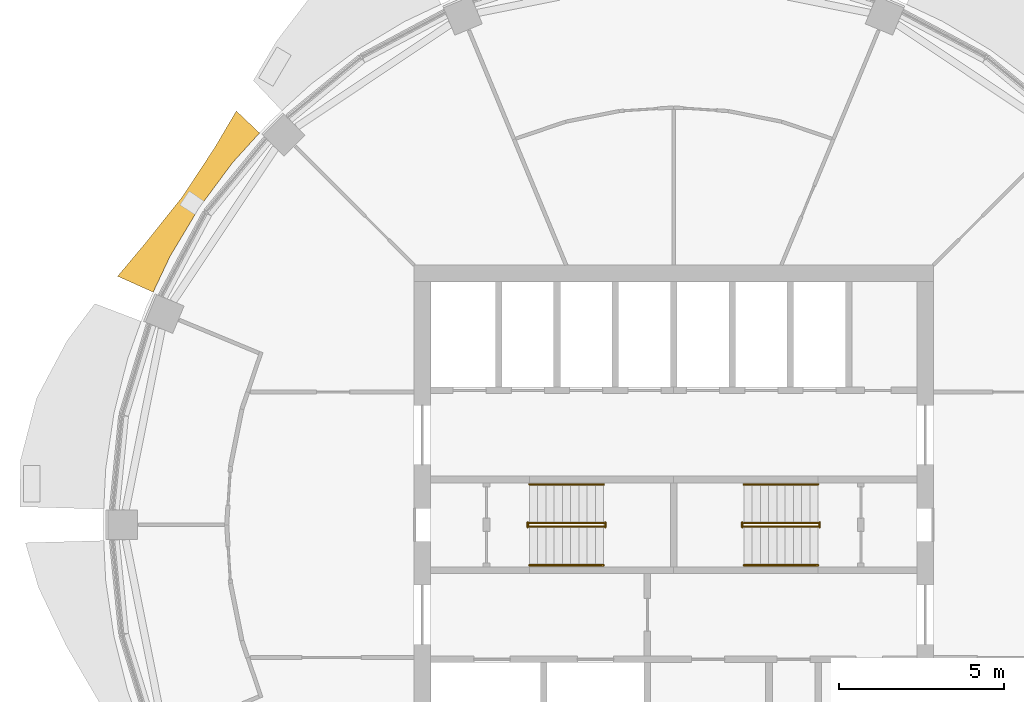
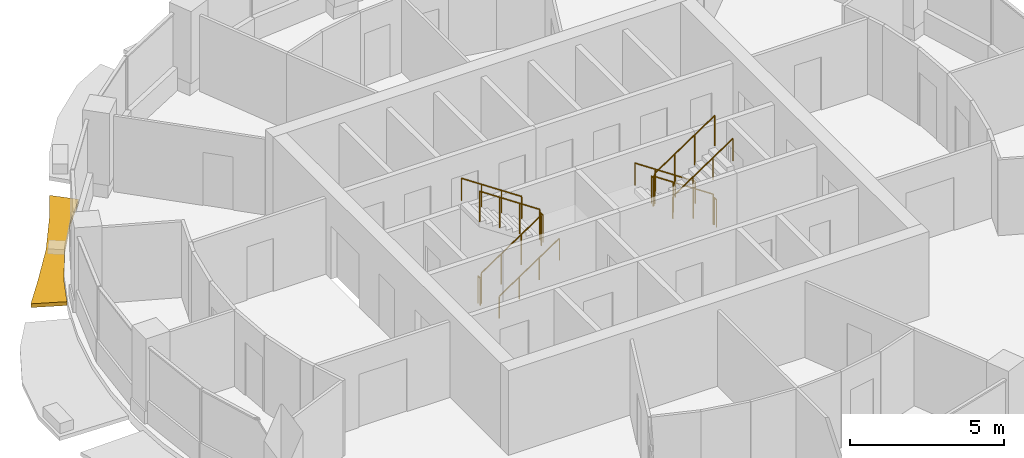
# One storey, part 13 of 15: 12 railings, 1 shading device.
"""IFC4 building model written with IfcOpenShell, lengths in metres."""

from ifc_helpers import new_model, si_unit, direction, frame, origin, origin_2d, place, context, subcontext, project, spatial, polyline, circle, outline, extrude, material, type_object, element, save


model = new_model("IFC4")

# Units and contexts
model_context = context("Model", 3, precision=1e-05, world=origin(), true_north=direction((0.0, 1.0)))
body_context = subcontext(model_context, "Body", "Model", "MODEL_VIEW")
ifc_project = project(units=[si_unit("LENGTHUNIT", "METRE"), si_unit("AREAUNIT", "SQUARE_METRE"), si_unit("VOLUMEUNIT", "CUBIC_METRE"), si_unit("PLANEANGLEUNIT", "RADIAN"), si_unit("MASSUNIT", "GRAM", prefix="KILO")], contexts=[model_context])

# Site, building, storey
site_placement = place(None, origin())
site = spatial("IfcSite", under=ifc_project, at=site_placement, CompositionType="ELEMENT")
building_placement = place(site_placement, origin())
building = spatial("IfcBuilding", under=site, at=building_placement, Name="Polderwave Tower", CompositionType="ELEMENT")
storey_placement = place(building_placement, frame((0.0, 0.0, 197.699951171875)))
storey = spatial("IfcBuildingStorey", under=building, at=storey_placement, Name="L53", CompositionType="ELEMENT", Elevation=197.699951171875)

# Railings
ifc_material_1 = material(Name="Stainless steel", Category="steel")
railing_type_1 = type_object("IfcRailingType", Name="Stair guard 1100", PredefinedType="GUARDRAIL", material=ifc_material_1)
railing_1_placement = place(storey_placement, frame((-4.3740234375, -0.051025390625, 0.04736328125)))
element("IfcRailing", 1, at=railing_1_placement, inside=storey, type_object=railing_type_1, Name="L53 ST-A stair guard 1", PredefinedType="GUARDRAIL", context=body_context, shape_type="SweptSolid", body=[
    extrude(circle(Radius=0.02392578125, at=origin_2d()), frame((0.0, 0.0, 1.1962890625), z_axis=(0.830758306289, 0.0, 0.556633305266), x_axis=(0.0, 1.0, 0.0)), (0.0, 0.0, 1.0), 2.708251953125),
    extrude(circle(Radius=0.02392578125, at=origin_2d()), origin(), (0.0, 0.0, 1.0), 1.172119140625),
    extrude(circle(Radius=0.02392578125, at=origin_2d()), frame((0.75, 0.0, 0.50244140625)), (0.0, 0.0, 1.0), 1.172119140625),
    extrude(circle(Radius=0.02392578125, at=origin_2d()), frame((1.5, 0.0, 1.005126953125)), (0.0, 0.0, 1.0), 1.172119140625),
    extrude(circle(Radius=0.02392578125, at=origin_2d()), frame((2.25, 0.0, 1.507568359375)), (0.0, 0.0, 1.0), 1.172119140625),
])
railing_2_placement = place(storey_placement, frame((-2.073974609375, -0.074951171875, 1.675048828125)))
element("IfcRailing", 2, at=railing_2_placement, inside=storey, type_object=railing_type_1, Name="L53 ST-A stair guard 2", PredefinedType="GUARDRAIL", context=body_context, shape_type="SweptSolid", body=[
    extrude(circle(Radius=0.02392578125, at=origin_2d()), frame((0.0, 0.0, 1.076171875), z_axis=(0.0, 1.0, 0.0), x_axis=(-1.0, 0.0, 0.0)), (0.0, 0.0, 1.0), 0.14990234375),
    extrude(circle(Radius=0.02099609375, at=origin_2d()), origin(), (0.0, 0.0, 1.0), 1.052001953125),
    extrude(circle(Radius=0.02099609375, at=origin_2d()), frame((0.0, 0.14990234375, 0.0)), (0.0, 0.0, 1.0), 1.052001953125),
])
railing_3_placement = place(storey_placement, frame((-2.1240234375, 0.051025390625, 1.722412109375)))
element("IfcRailing", 3, at=railing_3_placement, inside=storey, type_object=railing_type_1, Name="L53 ST-A stair guard 3", PredefinedType="GUARDRAIL", context=body_context, shape_type="SweptSolid", body=[
    extrude(circle(Radius=0.02392578125, at=origin_2d()), frame((0.0, 0.0, 1.1962890625), z_axis=(-0.830758306289, 0.0, 0.556633305266), x_axis=(0.0, -1.0, 0.0)), (0.0, 0.0, 1.0), 2.708251953125),
    extrude(circle(Radius=0.02392578125, at=origin_2d()), origin(), (0.0, 0.0, 1.0), 1.172119140625),
    extrude(circle(Radius=0.02392578125, at=origin_2d()), frame((-0.75, 0.0, 0.50244140625)), (0.0, 0.0, 1.0), 1.172119140625),
    extrude(circle(Radius=0.02392578125, at=origin_2d()), frame((-1.5, 0.0, 1.005126953125)), (0.0, 0.0, 1.0), 1.172119140625),
    extrude(circle(Radius=0.02392578125, at=origin_2d()), frame((-2.25, 0.0, 1.507568359375)), (0.0, 0.0, 1.0), 1.172119140625),
])
railing_4_placement = place(storey_placement, frame((-4.424072265625, -0.074951171875, 0.0)))
element("IfcRailing", 4, at=railing_4_placement, inside=storey, type_object=railing_type_1, Name="L53 ST-A stair guard 4", PredefinedType="GUARDRAIL", context=body_context, shape_type="SweptSolid", body=[
    extrude(circle(Radius=0.02392578125, at=origin_2d()), frame((0.0, 0.0, 1.076171875), z_axis=(0.0, 1.0, 0.0), x_axis=(-1.0, 0.0, 0.0)), (0.0, 0.0, 1.0), 0.14990234375),
    extrude(circle(Radius=0.02099609375, at=origin_2d()), origin(), (0.0, 0.0, 1.0), 1.052001953125),
    extrude(circle(Radius=0.02099609375, at=origin_2d()), frame((0.0, 0.14990234375, 0.0)), (0.0, 0.0, 1.0), 1.052001953125),
])
railing_5_placement = place(storey_placement, frame((4.3740234375, 0.051025390625, 0.04736328125)))
element("IfcRailing", 5, at=railing_5_placement, inside=storey, type_object=railing_type_1, Name="L53 ST-B stair guard 1", PredefinedType="GUARDRAIL", context=body_context, shape_type="SweptSolid", body=[
    extrude(circle(Radius=0.02392578125, at=origin_2d()), frame((0.0, 0.0, 1.1962890625), z_axis=(-0.830758306289, 0.0, 0.556633305266), x_axis=(0.0, -1.0, 0.0)), (0.0, 0.0, 1.0), 2.708251953125),
    extrude(circle(Radius=0.02392578125, at=origin_2d()), origin(), (0.0, 0.0, 1.0), 1.172119140625),
    extrude(circle(Radius=0.02392578125, at=origin_2d()), frame((-0.75, 0.0, 0.50244140625)), (0.0, 0.0, 1.0), 1.172119140625),
    extrude(circle(Radius=0.02392578125, at=origin_2d()), frame((-1.5, 0.0, 1.005126953125)), (0.0, 0.0, 1.0), 1.172119140625),
    extrude(circle(Radius=0.02392578125, at=origin_2d()), frame((-2.25, 0.0, 1.507568359375)), (0.0, 0.0, 1.0), 1.172119140625),
])
railing_6_placement = place(storey_placement, frame((2.073974609375, 0.074951171875, 1.675048828125)))
element("IfcRailing", 6, at=railing_6_placement, inside=storey, type_object=railing_type_1, Name="L53 ST-B stair guard 2", PredefinedType="GUARDRAIL", context=body_context, shape_type="SweptSolid", body=[
    extrude(circle(Radius=0.02392578125, at=origin_2d()), frame((0.0, 0.0, 1.076171875), z_axis=(0.0, -1.0, 0.0), x_axis=(1.0, 0.0, 0.0)), (0.0, 0.0, 1.0), 0.14990234375),
    extrude(circle(Radius=0.02099609375, at=origin_2d()), origin(), (0.0, 0.0, 1.0), 1.052001953125),
    extrude(circle(Radius=0.02099609375, at=origin_2d()), frame((0.0, -0.14990234375, 0.0)), (0.0, 0.0, 1.0), 1.052001953125),
])
railing_7_placement = place(storey_placement, frame((2.1240234375, -0.051025390625, 1.722412109375)))
element("IfcRailing", 7, at=railing_7_placement, inside=storey, type_object=railing_type_1, Name="L53 ST-B stair guard 3", PredefinedType="GUARDRAIL", context=body_context, shape_type="SweptSolid", body=[
    extrude(circle(Radius=0.02392578125, at=origin_2d()), frame((0.0, 0.0, 1.1962890625), z_axis=(0.830758306289, 0.0, 0.556633305266), x_axis=(0.0, 1.0, 0.0)), (0.0, 0.0, 1.0), 2.708251953125),
    extrude(circle(Radius=0.02392578125, at=origin_2d()), origin(), (0.0, 0.0, 1.0), 1.172119140625),
    extrude(circle(Radius=0.02392578125, at=origin_2d()), frame((0.75, 0.0, 0.50244140625)), (0.0, 0.0, 1.0), 1.172119140625),
    extrude(circle(Radius=0.02392578125, at=origin_2d()), frame((1.5, 0.0, 1.005126953125)), (0.0, 0.0, 1.0), 1.172119140625),
    extrude(circle(Radius=0.02392578125, at=origin_2d()), frame((2.25, 0.0, 1.507568359375)), (0.0, 0.0, 1.0), 1.172119140625),
])
railing_8_placement = place(storey_placement, frame((4.424072265625, 0.074951171875, 0.0)))
element("IfcRailing", 8, at=railing_8_placement, inside=storey, type_object=railing_type_1, Name="L53 ST-B stair guard 4", PredefinedType="GUARDRAIL", context=body_context, shape_type="SweptSolid", body=[
    extrude(circle(Radius=0.02392578125, at=origin_2d()), frame((0.0, 0.0, 1.076171875), z_axis=(0.0, -1.0, 0.0), x_axis=(1.0, 0.0, 0.0)), (0.0, 0.0, 1.0), 0.14990234375),
    extrude(circle(Radius=0.02099609375, at=origin_2d()), origin(), (0.0, 0.0, 1.0), 1.052001953125),
    extrude(circle(Radius=0.02099609375, at=origin_2d()), frame((0.0, -0.14990234375, 0.0)), (0.0, 0.0, 1.0), 1.052001953125),
])
railing_type_2 = type_object("IfcRailingType", Name="Stair handrail 900", PredefinedType="HANDRAIL", material=ifc_material_1)
railing_9_placement = place(storey_placement, frame((-4.3740234375, -1.22509765625, 0.16748046875)))
element("IfcRailing", 9, at=railing_9_placement, inside=storey, type_object=railing_type_2, Name="L53 ST-A stair handrail 1", PredefinedType="HANDRAIL", context=body_context, shape_type="SweptSolid", body=[
    extrude(circle(Radius=0.02392578125, at=origin_2d()), frame((0.0, 0.0, 0.8759765625), z_axis=(0.830758306289, 0.0, 0.556633305266), x_axis=(0.0, 1.0, 0.0)), (0.0, 0.0, 1.0), 2.708251953125),
    extrude(circle(Radius=0.02099609375, at=origin_2d()), origin(), (0.0, 0.0, 1.0), 0.851806640625),
    extrude(circle(Radius=0.02099609375, at=origin_2d()), frame((0.75, 0.0, 0.50244140625)), (0.0, 0.0, 1.0), 0.851806640625),
    extrude(circle(Radius=0.02099609375, at=origin_2d()), frame((1.5, 0.0, 1.005126953125)), (0.0, 0.0, 1.0), 0.851806640625),
    extrude(circle(Radius=0.02099609375, at=origin_2d()), frame((2.25, 0.0, 1.507568359375)), (0.0, 0.0, 1.0), 0.851806640625),
])
for number, where, name in (
    (10, (-2.1240234375, 1.22509765625, 1.842529296875), "L53 ST-A stair handrail 2"),
    (11, (4.3740234375, 1.22509765625, 0.16748046875), "L53 ST-B stair handrail 1"),
):
    element("IfcRailing", number, at=place(storey_placement, frame(where)), inside=storey, type_object=railing_type_2, Name=name, PredefinedType="HANDRAIL", context=body_context, shape_type="SweptSolid", body=[
        extrude(circle(Radius=0.02392578125, at=origin_2d()), frame((0.0, 0.0, 0.8759765625), z_axis=(-0.830758306289, 0.0, 0.556633305266), x_axis=(0.0, -1.0, 0.0)), (0.0, 0.0, 1.0), 2.708251953125),
        extrude(circle(Radius=0.02099609375, at=origin_2d()), origin(), (0.0, 0.0, 1.0), 0.851806640625),
        extrude(circle(Radius=0.02099609375, at=origin_2d()), frame((-0.75, 0.0, 0.50244140625)), (0.0, 0.0, 1.0), 0.851806640625),
        extrude(circle(Radius=0.02099609375, at=origin_2d()), frame((-1.5, 0.0, 1.005126953125)), (0.0, 0.0, 1.0), 0.851806640625),
        extrude(circle(Radius=0.02099609375, at=origin_2d()), frame((-2.25, 0.0, 1.507568359375)), (0.0, 0.0, 1.0), 0.851806640625),
    ])
railing_10_placement = place(storey_placement, frame((2.1240234375, -1.22509765625, 1.842529296875)))
element("IfcRailing", 12, at=railing_10_placement, inside=storey, type_object=railing_type_2, Name="L53 ST-B stair handrail 2", PredefinedType="HANDRAIL", context=body_context, shape_type="SweptSolid", body=[
    extrude(circle(Radius=0.02392578125, at=origin_2d()), frame((0.0, 0.0, 0.8759765625), z_axis=(0.830758306289, 0.0, 0.556633305266), x_axis=(0.0, 1.0, 0.0)), (0.0, 0.0, 1.0), 2.708251953125),
    extrude(circle(Radius=0.02099609375, at=origin_2d()), origin(), (0.0, 0.0, 1.0), 0.851806640625),
    extrude(circle(Radius=0.02099609375, at=origin_2d()), frame((0.75, 0.0, 0.50244140625)), (0.0, 0.0, 1.0), 0.851806640625),
    extrude(circle(Radius=0.02099609375, at=origin_2d()), frame((1.5, 0.0, 1.005126953125)), (0.0, 0.0, 1.0), 0.851806640625),
    extrude(circle(Radius=0.02099609375, at=origin_2d()), frame((2.25, 0.0, 1.507568359375)), (0.0, 0.0, 1.0), 0.851806640625),
])

# Shading device
ifc_material_2 = material(Name="Terracotta", Category="masonry")
shading_device_type = type_object("IfcShadingDeviceType", Name="Terracotta sunshade band", PredefinedType="USERDEFINED", material=ifc_material_2)
shading_device_placement = place(storey_placement, frame((0.0, 0.0, -0.349853515625)))
element("IfcShadingDevice", 13, at=shading_device_placement, inside=storey, type_object=shading_device_type, Name="Sunshade band L53 7", ObjectType="SUNSHADE", PredefinedType="USERDEFINED", context=body_context, shape_type="SweptSolid", body=[
    extrude(outline(polyline([(-12.5546875, 11.8779296875), (-13.373046875, 10.97509765625), (-14.384521484375, 9.611328125), (-15.257080078125, 8.1552734375), (-15.7783203125, 7.053466796875), (-16.855224609375, 7.534912109375), (-16.001953125, 8.55322265625), (-14.889892578125, 9.948974609375), (-13.918701171875, 11.422607421875), (-13.2578125, 12.54345703125), (-12.5546875, 11.8779296875)])), origin(), (0.0, 0.0, 1.0), 0.14990234375),
])

save(model, "model.ifc")
